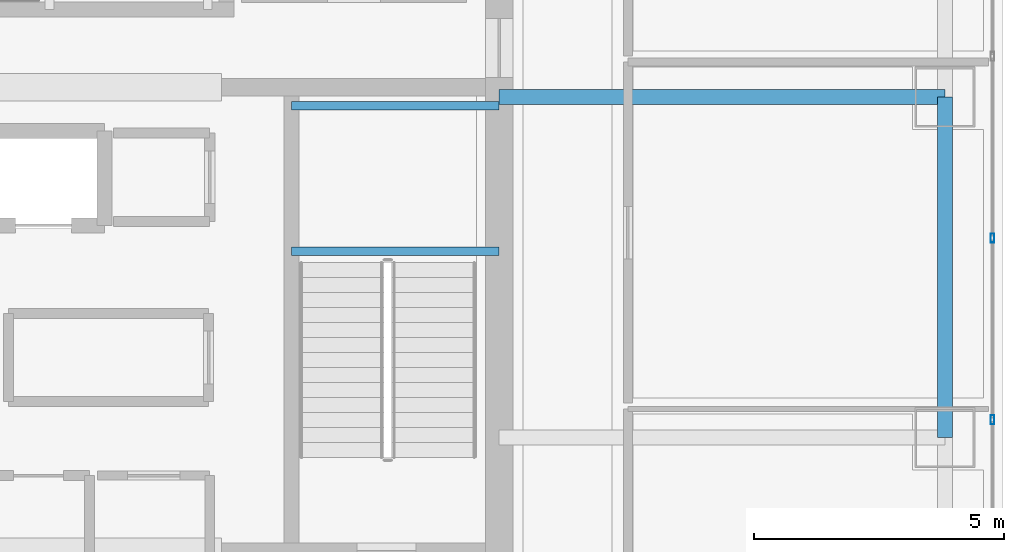
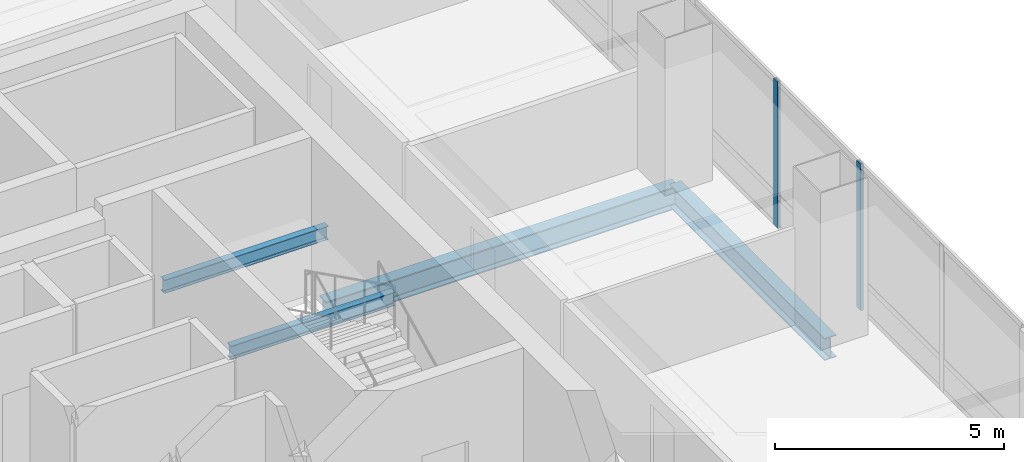
# One storey, part 17 of 51: 4 beams, 2 members, 1 element without a shape of its own.
"""IFC4 building model written with IfcOpenShell, lengths in metres."""

import ifcopenshell
import ifcopenshell.guid

model = None  # the IFC model being written
_history = None  # IfcOwnerHistory: only IFC2X3 demands one
_inside = {}  # id of a spatial element -> (the spatial element, [elements in it])
_under = {}  # id of a project, library or spatial element -> (it, [spatial elements below it])
_declared = {}  # id of a project -> (the project, [libraries it declares])
_typed = {}  # id of a type object -> (the type object, [elements of that type])
_made_of = {}  # id of a material, layer set ... -> (it, [elements and type objects made of it])


def new_model(schema):
    """Start an empty IFC model of exactly this schema.

    Asked for "IFC4X3", IfcOpenShell would pick the latest addendum, in which some entities
    have other attributes; the version numbers below select the first issue.
    IFC2X3 requires an IfcOwnerHistory on every rooted entity: one is made here for all.
    """
    global model, _history
    if schema == "IFC4X3":
        model = ifcopenshell.file(schema_version=(4, 3, 0, 0))
    else:
        model = ifcopenshell.file(schema=schema)
    _inside.clear()
    _under.clear()
    _declared.clear()
    _typed.clear()
    _made_of.clear()
    _history = None
    if model.schema == "IFC2X3":
        org = make("IfcOrganization", Name="unknown")
        user = make(
            "IfcPersonAndOrganization",
            ThePerson=make("IfcPerson", FamilyName="unknown"),
            TheOrganization=org,
        )
        app = make(
            "IfcApplication",
            ApplicationDeveloper=org,
            Version="unknown",
            ApplicationFullName="unknown",
            ApplicationIdentifier="unknown",
        )
        _history = make(
            "IfcOwnerHistory",
            OwningUser=user,
            OwningApplication=app,
            ChangeAction="ADDED",
            CreationDate=0,
        )
    return model


def make(cls, **values):
    """One entity of the class cls with the attributes given. An attribute that is None is left unset."""
    return model.create_entity(
        cls, **{name: value for name, value in values.items() if value is not None}
    )


def rooted(cls, **values):
    """An entity with a GlobalId (a new one), such as an element, a storey or a relation."""
    return make(cls, GlobalId=ifcopenshell.guid.new(), OwnerHistory=_history, **values)


def si_unit(unit_type, name, prefix=None):
    """IfcSIUnit, for example si_unit("LENGTHUNIT", "METRE", prefix="MILLI")."""
    return make("IfcSIUnit", UnitType=unit_type, Prefix=prefix, Name=name)


def assignment(units):
    """IfcUnitAssignment: the units of a project."""
    return None if units is None else make("IfcUnitAssignment", Units=units)


def point(xyz):
    """IfcCartesianPoint."""
    return None if xyz is None else make("IfcCartesianPoint", Coordinates=xyz)


def direction(xyz):
    """IfcDirection."""
    return None if xyz is None else make("IfcDirection", DirectionRatios=xyz)


def frame(location, z_axis=None, x_axis=None):
    """IfcAxis2Placement3D, a coordinate frame: its origin and axes. An axis left out is left unset."""
    return make(
        "IfcAxis2Placement3D",
        Location=point(location),
        Axis=direction(z_axis),
        RefDirection=direction(x_axis),
    )


def frame_2d(location, x_axis=None):
    """IfcAxis2Placement2D, a coordinate frame in the plane: its origin and x axis."""
    return make(
        "IfcAxis2Placement2D", Location=point(location), RefDirection=direction(x_axis)
    )


def origin():
    """The frame at (0, 0, 0) with its axes left unset."""
    return frame((0.0, 0.0, 0.0))


def origin_2d():
    """The frame at (0, 0) in the plane with its x axis left unset."""
    return frame_2d((0.0, 0.0))


def place(relative_to, where):
    """IfcLocalPlacement: puts the frame where relative to a parent placement (None: the world)."""
    return make(
        "IfcLocalPlacement", PlacementRelTo=relative_to, RelativePlacement=where
    )


def context(
    kind, dimensions, precision=None, world=None, true_north=None, identifier=None
):
    """IfcGeometricRepresentationContext, for example the 3D "Model" context."""
    return make(
        "IfcGeometricRepresentationContext",
        ContextIdentifier=identifier,
        ContextType=kind,
        CoordinateSpaceDimension=dimensions,
        Precision=precision,
        WorldCoordinateSystem=world,
        TrueNorth=true_north,
    )


def subcontext(parent, identifier, kind, view, scale=None):
    """IfcGeometricRepresentationSubContext, for example "Body" below "Model"."""
    return make(
        "IfcGeometricRepresentationSubContext",
        ContextIdentifier=identifier,
        ContextType=kind,
        ParentContext=parent,
        TargetScale=scale,
        TargetView=view,
    )


def project(units=None, contexts=None):
    """IfcProject with its units and contexts."""
    return rooted(
        "IfcProject",
        Name="project",
        RepresentationContexts=contexts,
        UnitsInContext=assignment(units),
    )


def spatial(cls, under=None, at=None, **own):
    """A site, building, storey or space (cls), placed at a placement, below another one or the project."""
    s = rooted(cls, ObjectPlacement=at, **own)
    if under is not None:
        _under.setdefault(under.id(), (under, []))[1].append(s)
    return s


def profile(cls, at=None, kind="AREA", **sizes):
    """A parametric profile (cls). Its sizes go by their IFC names, for example OverallWidth=200.0."""
    return make(cls, ProfileType=kind, Position=at, **sizes)


def hollow_rectangle(**sizes):
    """IfcRectangleHollowProfileDef."""
    return profile("IfcRectangleHollowProfileDef", **sizes)


def i_section(**sizes):
    """IfcIShapeProfileDef."""
    return profile("IfcIShapeProfileDef", **sizes)


def extrude(swept, where, along, depth):
    """IfcExtrudedAreaSolid: the profile swept, set in the frame where, extruded along a direction by depth."""
    return make(
        "IfcExtrudedAreaSolid",
        SweptArea=swept,
        Position=where,
        ExtrudedDirection=direction(along),
        Depth=depth,
    )


def shape(context_of_items, identifier, shape_type, items):
    """IfcShapeRepresentation: the items that make up one representation, for example the "Body"."""
    return make(
        "IfcShapeRepresentation",
        ContextOfItems=context_of_items,
        RepresentationIdentifier=identifier,
        RepresentationType=shape_type,
        Items=items,
    )


def material(Name=None, Category=None):
    """IfcMaterial."""
    return make("IfcMaterial", Name=Name, Category=Category)


def material_profile(
    of_material, cross_section, Name=None, Category=None, Priority=None
):
    """IfcMaterialProfile: a cross section and its material."""
    return make(
        "IfcMaterialProfile",
        Name=Name,
        Material=of_material,
        Profile=cross_section,
        Priority=Priority,
        Category=Category,
    )


def profile_set(profiles, Name=None, composite=None):
    """IfcMaterialProfileSet."""
    return make(
        "IfcMaterialProfileSet",
        Name=Name,
        MaterialProfiles=profiles,
        CompositeProfile=composite,
    )


def made_of(thing, what):
    """Note that an element or type object is made of a material, layer set ...; save() writes the relation."""
    if what is not None:
        _made_of.setdefault(what.id(), (what, []))[1].append(thing)
    return thing


def type_object(cls, material=None, **own):
    """A type object (cls), such as IfcWallType, which elements share."""
    return made_of(rooted(cls, **own), material)


def element(
    cls,
    number,
    at=None,
    inside=None,
    cuts=None,
    type_object=None,
    material=None,
    context=None,
    identifier="Body",
    shape_type=None,
    held_by="IfcProductDefinitionShape",
    body=None,
    shapes=None,
    **own,
):
    """One element of the class cls, such as IfcWall. Its Tag is "e" and its number.

    at: its placement. inside: the storey or other place that contains it. cuts: it is an
    opening in that element (IfcRelVoidsElement). A single representation is given by context,
    identifier, shape_type and body (its items); several are given by shapes. held_by: the class
    of the entity that holds the representations. save() writes the other relations.
    """
    e = rooted(cls, Tag="e%d" % number, ObjectPlacement=at, **own)
    if body is not None:
        shapes = [shape(context, identifier, shape_type, body)]
    if shapes is not None:
        e.Representation = make(held_by, Representations=shapes)
    if inside is not None:
        _inside.setdefault(inside.id(), (inside, []))[1].append(e)
    if cuts is not None:
        rooted(
            "IfcRelVoidsElement", RelatingBuildingElement=cuts, RelatedOpeningElement=e
        )
    if type_object is not None:
        _typed.setdefault(type_object.id(), (type_object, []))[1].append(e)
    return made_of(e, material)


def aggregate(whole, parts):
    """IfcRelAggregates: a whole, such as a stair, and the parts it consists of."""
    return rooted("IfcRelAggregates", RelatingObject=whole, RelatedObjects=parts)


def save(model, path):
    """Write the relations noted so far, then the file.

    IfcRelAggregates (storeys below a building ...), IfcRelContainedInSpatialStructure (elements
    in a storey), IfcRelDefinesByType, IfcRelAssociatesMaterial and IfcRelDeclares: one each for
    every whole, place, type object, material and project.
    """
    for whole, parts in _under.values():
        aggregate(whole, parts)
    for where, things in _inside.values():
        rooted(
            "IfcRelContainedInSpatialStructure",
            RelatedElements=things,
            RelatingStructure=where,
        )
    for kind, things in _typed.values():
        rooted("IfcRelDefinesByType", RelatedObjects=things, RelatingType=kind)
    for what, things in _made_of.values():
        rooted("IfcRelAssociatesMaterial", RelatedObjects=things, RelatingMaterial=what)
    for by, libraries in _declared.values():
        rooted("IfcRelDeclares", RelatingContext=by, RelatedDefinitions=libraries)
    model.write(path)


model = new_model("IFC4")

# Units and contexts
model_context = context("Model", 3, precision=1e-05, world=origin(), true_north=direction((0.0, 1.0)))
body_context = subcontext(model_context, "Body", "Model", "MODEL_VIEW")
ifc_project = project(units=[si_unit("LENGTHUNIT", "METRE"), si_unit("AREAUNIT", "SQUARE_METRE"), si_unit("VOLUMEUNIT", "CUBIC_METRE"), si_unit("PLANEANGLEUNIT", "RADIAN"), si_unit("MASSUNIT", "GRAM", prefix="KILO")], contexts=[model_context])

# Site, building, storey
site_placement = place(None, origin())
site = spatial("IfcSite", under=ifc_project, at=site_placement, CompositionType="ELEMENT")
building_placement = place(site_placement, origin())
building = spatial("IfcBuilding", under=site, at=building_placement, Name="Punatoya Terracotta Tower", CompositionType="ELEMENT")
storey_placement = place(building_placement, frame((0.0, 0.0, 313.199951171875)))
storey = spatial("IfcBuildingStorey", under=building, at=storey_placement, Name="L74", CompositionType="ELEMENT", Elevation=313.199951171875)

# Beams
ifc_material_1 = material(Name="Steel S355", Category="steel")
ifc_material_profile_1 = material_profile(ifc_material_1, i_section(OverallWidth=0.300048828125, OverallDepth=0.60009765625, WebThickness=0.015380859375, FlangeThickness=0.030029296875, FilletRadius=0.01806640625, at=origin_2d()))
ifc_profile_set_1 = profile_set([ifc_material_profile_1], Name="Steel S355")
beam_type_1 = type_object("IfcBeamType", Name="BM-PRI-600", PredefinedType="BEAM", material=ifc_profile_set_1)
beam_1_placement = place(storey_placement, frame((19.10009765625, -3.39990234375, -0.5), z_axis=(0.0, 1.0, 0.0), x_axis=(-1.0, 0.0, 0.0)))
element("IfcBeam", 1, at=beam_1_placement, inside=storey, type_object=beam_type_1, Name="BM-L74-RG-E2", PredefinedType="BEAM", context=body_context, shape_type="SweptSolid", body=[
    extrude(i_section(OverallWidth=0.300048828125, OverallDepth=0.60009765625, WebThickness=0.015380859375, FlangeThickness=0.030029296875, FilletRadius=0.01806640625, at=origin_2d()), origin(), (0.0, 0.0, 1.0), 6.7998046875),
])
beam_2_placement = place(storey_placement, frame((10.199951171875, 3.39990234375, -0.5), z_axis=(1.0, 0.0, 0.0), x_axis=(0.0, 1.0, 0.0)))
element("IfcBeam", 2, at=beam_2_placement, inside=storey, type_object=beam_type_1, Name="BM-L74-PR-EE", PredefinedType="BEAM", context=body_context, shape_type="SweptSolid", body=[
    extrude(i_section(OverallWidth=0.300048828125, OverallDepth=0.60009765625, WebThickness=0.015380859375, FlangeThickness=0.030029296875, FilletRadius=0.01806640625, at=origin_2d()), origin(), (0.0, 0.0, 1.0), 8.900146484375),
])
ifc_material_profile_2 = material_profile(ifc_material_1, i_section(OverallWidth=0.169921875, OverallDepth=0.360107421875, WebThickness=0.008056640625, FlangeThickness=0.0126953125, FilletRadius=0.01806640625, at=origin_2d()))
ifc_profile_set_2 = profile_set([ifc_material_profile_2], Name="Steel S355")
beam_type_2 = type_object("IfcBeamType", Name="BM-SEC-360", PredefinedType="JOIST", material=ifc_profile_set_2)
for number, where, z_axis, x_axis, name in (
    (3, (6.050048828125, 0.320068359375, 1.719970703125), (1.0, 0.0, 0.0), (0.0, 1.0, 0.0), "BM-L74-ST-2-LD1A"),
    (4, (6.050048828125, 3.22998046875, 1.719970703125), (1.0, 0.0, 0.0), (0.0, 1.0, 0.0), "BM-L74-ST-2-LD1B"),
):
    element("IfcBeam", number, at=place(storey_placement, frame(where, z_axis=z_axis, x_axis=x_axis)), inside=storey, type_object=beam_type_2, Name=name, PredefinedType="JOIST", context=body_context, shape_type="SweptSolid", body=[
        extrude(i_section(OverallWidth=0.169921875, OverallDepth=0.360107421875, WebThickness=0.008056640625, FlangeThickness=0.0126953125, FilletRadius=0.01806640625, at=origin_2d()), origin(), (0.0, 0.0, 1.0), 4.14990234375),
    ])

# Curtain wall, members
ifc_material_2 = material(Name="Aluminium 6063-T6 + Double Low-E Glass", Category="aluminium")
curtain_wall_type = type_object("IfcCurtainWallType", Name="CW-M3", PredefinedType="NOTDEFINED", material=ifc_material_2)
curtain_wall_placement = place(storey_placement, origin())
curtain_wall = element("IfcCurtainWall", 5, at=curtain_wall_placement, inside=storey, type_object=curtain_wall_type, Name="L74 Curtain Wall CW-L74-E05-1", PredefinedType="NOTDEFINED")
ifc_material_3 = material(Name="Aluminium 6063-T6", Category="aluminium")
ifc_material_profile_3 = material_profile(ifc_material_3, hollow_rectangle(XDim=0.070068359375, YDim=0.179931640625, WallThickness=0.00390625, at=origin_2d()))
ifc_profile_set_3 = profile_set([ifc_material_profile_3], Name="Aluminium 6063-T6")
member_type = type_object("IfcMemberType", Name="CW-MUL-M3", PredefinedType="MULLION", material=ifc_profile_set_3)
member_1_placement = place(storey_placement, frame((20.050048828125, -3.04296875, 0.0), z_axis=(0.0, 0.0, 1.0), x_axis=(1.0, 0.0, 0.0)))
member_1 = element("IfcMember", 6, at=member_1_placement, type_object=member_type, Name="CW-L74-E05-1 Mullion 02", PredefinedType="MULLION", context=body_context, shape_type="SweptSolid", body=[
    extrude(hollow_rectangle(XDim=0.070068359375, YDim=0.179931640625, WallThickness=0.00390625, at=origin_2d()), origin(), (0.0, 0.0, 1.0), 3.920166015625),
])
member_2_placement = place(storey_placement, frame((20.050048828125, 0.585693359375, 0.0), z_axis=(0.0, 0.0, 1.0), x_axis=(1.0, 0.0, 0.0)))
member_2 = element("IfcMember", 7, at=member_2_placement, type_object=member_type, Name="CW-L74-E05-1 Mullion 03", PredefinedType="MULLION", context=body_context, shape_type="SweptSolid", body=[
    extrude(hollow_rectangle(XDim=0.070068359375, YDim=0.179931640625, WallThickness=0.00390625, at=origin_2d()), origin(), (0.0, 0.0, 1.0), 3.920166015625),
])
aggregate(curtain_wall, [member_1, member_2])

save(model, "model.ifc")
